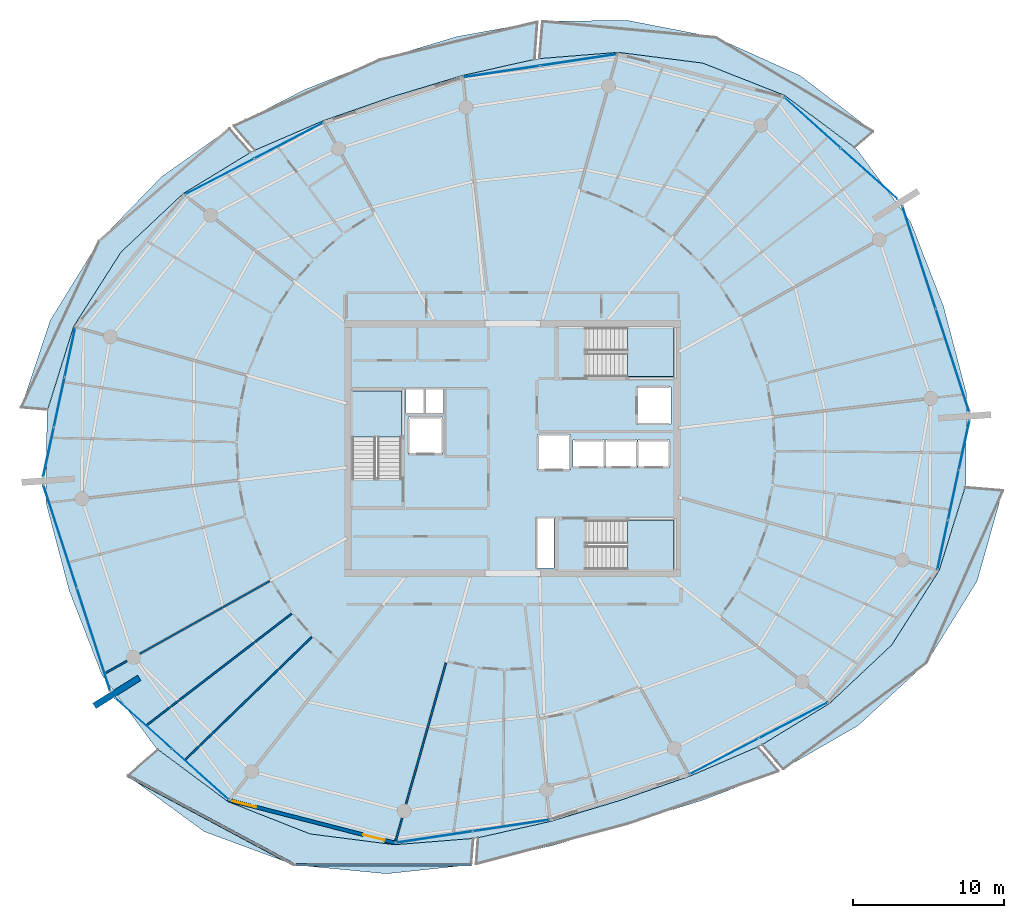
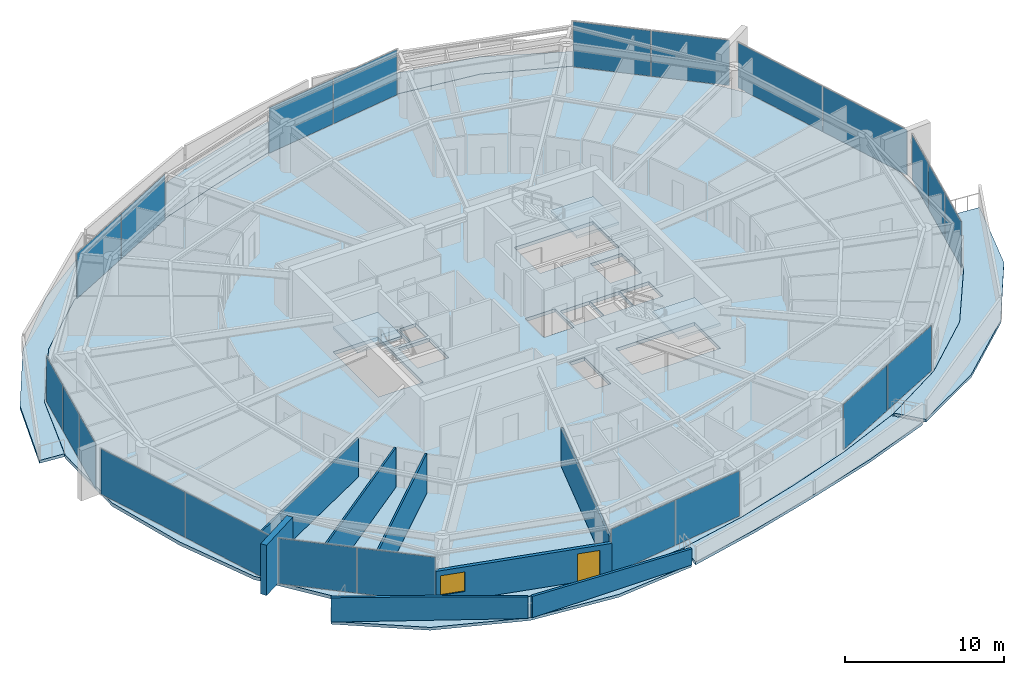
# One storey, part 17 of 30: 22 plates, 10 slabs, 8 walls, 1 door, 1 window, 2 openings, 13 elements without a shape of their own.
"""IFC4 building model written with IfcOpenShell, lengths in metres."""

from ifc_helpers import new_model, si_unit, direction, frame, frame_2d, origin, origin_2d, place, context, subcontext, project, spatial, polyline, rectangle, outline, extrude, material, layer, layer_set, type_object, element, fill, aggregate, save


model = new_model("IFC4")

# Units and contexts
model_context = context("Model", 3, precision=1e-05, world=origin(), true_north=direction((0.0, 1.0)))
body_context = subcontext(model_context, "Body", "Model", "MODEL_VIEW")
ifc_project = project(units=[si_unit("LENGTHUNIT", "METRE"), si_unit("AREAUNIT", "SQUARE_METRE"), si_unit("VOLUMEUNIT", "CUBIC_METRE"), si_unit("PLANEANGLEUNIT", "RADIAN"), si_unit("MASSUNIT", "GRAM", prefix="KILO")], contexts=[model_context])

# Site, building, storey
site_placement = place(None, origin())
site = spatial("IfcSite", under=ifc_project, at=site_placement, CompositionType="ELEMENT")
building_placement = place(site_placement, origin())
building = spatial("IfcBuilding", under=site, at=building_placement, Name="Kazma Halo Residences", CompositionType="ELEMENT")
storey_placement = place(building_placement, frame((0.0, 0.0, 279.050048828125)))
storey = spatial("IfcBuildingStorey", under=building, at=storey_placement, Name="L70", CompositionType="ELEMENT", Elevation=279.050048828125)

# Curtain wall, plates
ifc_material_1 = material(Name="Aluminium AW-6063 T6 and Triple-Silver Low-E Glass", Category="aluminium")
ifc_layer_1 = layer(ifc_material_1, 0.139892578125)
ifc_layer_set_1 = layer_set([ifc_layer_1], Name="Aluminium AW-6063 T6 and Triple-Silver Low-E Glass")
curtain_wall_type = type_object("IfcCurtainWallType", Name="CW-SYS-5", PredefinedType="NOTDEFINED", material=ifc_layer_set_1)
curtain_wall_1_placement = place(storey_placement, origin())
curtain_wall_1 = element("IfcCurtainWall", 1, at=curtain_wall_1_placement, inside=storey, type_object=curtain_wall_type, Name="L70 unitised curtain wall B01", PredefinedType="NOTDEFINED")
ifc_material_2 = material(Name="Clear Triple-Silver Low-E Glass IGU", Category="glass")
ifc_layer_2 = layer(ifc_material_2, 0.02587890625)
ifc_layer_set_2 = layer_set([ifc_layer_2], Name="Clear Triple-Silver Low-E Glass IGU")
plate_type = type_object("IfcPlateType", Name="CW-SYS-5-PNL", PredefinedType="CURTAIN_PANEL", material=ifc_layer_set_2)
plate_1_placement = place(storey_placement, frame((72.002685546875, 60.179443359375, 0.06005859375), z_axis=(0.0, 0.0, 1.0), x_axis=(-0.744336424671, 0.667804826958, 0.0)))
plate_1 = element("IfcPlate", 2, at=plate_1_placement, type_object=plate_type, Name="CWS-5 panel 1.1", PredefinedType="CURTAIN_PANEL", context=body_context, shape_type="SweptSolid", body=[
    extrude(rectangle(XDim=4.993408203125, YDim=0.02587890625, at=origin_2d()), origin(), (0.0, 0.0, 1.0), 3.469970703125),
])
plate_2_placement = place(storey_placement, frame((68.2412109375, 63.55419921875, 0.06005859375), z_axis=(0.0, 0.0, 1.0), x_axis=(-0.744336424671, 0.667804826958, 0.0)))
plate_2 = element("IfcPlate", 3, at=plate_2_placement, type_object=plate_type, Name="CWS-5 panel 2.1", PredefinedType="CURTAIN_PANEL", context=body_context, shape_type="SweptSolid", body=[
    extrude(rectangle(XDim=4.993408203125, YDim=0.02587890625, at=origin_2d()), origin(), (0.0, 0.0, 1.0), 3.469970703125),
])
aggregate(curtain_wall_1, [plate_1, plate_2])

curtain_wall_2_placement = place(storey_placement, origin())
curtain_wall_2 = element("IfcCurtainWall", 4, at=curtain_wall_2_placement, inside=storey, type_object=curtain_wall_type, Name="L70 unitised curtain wall B03", PredefinedType="NOTDEFINED")
plate_3_placement = place(storey_placement, frame((52.77783203125, 67.70361328125, 0.06005859375), z_axis=(0.0, 0.0, 1.0), x_axis=(-0.988882792998, -0.148697080374, 0.0)))
plate_3 = element("IfcPlate", 5, at=plate_3_placement, type_object=plate_type, Name="CWS-5 panel 1.1", PredefinedType="CURTAIN_PANEL", context=body_context, shape_type="SweptSolid", body=[
    extrude(rectangle(XDim=5.099853515625, YDim=0.02587890625, at=origin_2d()), origin(), (0.0, 0.0, 1.0), 3.469970703125),
])
plate_4_placement = place(storey_placement, frame((47.67529296875, 66.936279296875, 0.06005859375), z_axis=(0.0, 0.0, 1.0), x_axis=(-0.988882792998, -0.148697080374, 0.0)))
plate_4 = element("IfcPlate", 6, at=plate_4_placement, type_object=plate_type, Name="CWS-5 panel 2.1", PredefinedType="CURTAIN_PANEL", context=body_context, shape_type="SweptSolid", body=[
    extrude(rectangle(XDim=5.099853515625, YDim=0.02587890625, at=origin_2d()), origin(), (0.0, 0.0, 1.0), 3.469970703125),
])
aggregate(curtain_wall_2, [plate_3, plate_4])

curtain_wall_3_placement = place(storey_placement, origin())
curtain_wall_3 = element("IfcCurtainWall", 7, at=curtain_wall_3_placement, inside=storey, type_object=curtain_wall_type, Name="L70 unitised curtain wall B05", PredefinedType="NOTDEFINED")
plate_5_placement = place(storey_placement, frame((33.60546875, 62.36474609375, 0.06005859375), z_axis=(0.0, 0.0, 1.0), x_axis=(-0.887420518694, -0.460960760804, 0.0)))
plate_5 = element("IfcPlate", 8, at=plate_5_placement, type_object=plate_type, Name="CWS-5 panel 1.1", PredefinedType="CURTAIN_PANEL", context=body_context, shape_type="SweptSolid", body=[
    extrude(rectangle(XDim=5.099609375, YDim=0.02587890625, at=origin_2d()), origin(), (0.0, 0.0, 1.0), 3.469970703125),
])
plate_6_placement = place(storey_placement, frame((29.026611328125, 59.986328125, 0.06005859375), z_axis=(0.0, 0.0, 1.0), x_axis=(-0.887420518694, -0.460960760804, 0.0)))
plate_6 = element("IfcPlate", 9, at=plate_6_placement, type_object=plate_type, Name="CWS-5 panel 2.1", PredefinedType="CURTAIN_PANEL", context=body_context, shape_type="SweptSolid", body=[
    extrude(rectangle(XDim=5.099609375, YDim=0.02587890625, at=origin_2d()), origin(), (0.0, 0.0, 1.0), 3.469970703125),
])
aggregate(curtain_wall_3, [plate_5, plate_6])

curtain_wall_4_placement = place(storey_placement, origin())
curtain_wall_4 = element("IfcCurtainWall", 10, at=curtain_wall_4_placement, inside=storey, type_object=curtain_wall_type, Name="L70 unitised curtain wall B07", PredefinedType="NOTDEFINED")
plate_7_placement = place(storey_placement, frame((19.133056640625, 48.36865234375, 0.06005859375), z_axis=(0.0, 0.0, 1.0), x_axis=(-0.209657382603, -0.97777491373, 0.0)))
plate_7 = element("IfcPlate", 11, at=plate_7_placement, type_object=plate_type, Name="CWS-5 panel 1.1", PredefinedType="CURTAIN_PANEL", context=body_context, shape_type="SweptSolid", body=[
    extrude(rectangle(XDim=3.299072265625, YDim=0.02587890625, at=origin_2d()), origin(), (0.0, 0.0, 1.0), 3.469970703125),
])
plate_8_placement = place(storey_placement, frame((18.42578125, 45.069580078125, 0.06005859375), z_axis=(0.0, 0.0, 1.0), x_axis=(-0.209657382603, -0.97777491373, 0.0)))
plate_8 = element("IfcPlate", 12, at=plate_8_placement, type_object=plate_type, Name="CWS-5 panel 2.1", PredefinedType="CURTAIN_PANEL", context=body_context, shape_type="SweptSolid", body=[
    extrude(rectangle(XDim=3.3291015625, YDim=0.02587890625, at=origin_2d()), origin(), (0.0, 0.0, 1.0), 3.469970703125),
])
plate_9_placement = place(storey_placement, frame((17.71826171875, 41.7705078125, 0.06005859375), z_axis=(0.0, 0.0, 1.0), x_axis=(-0.209657382603, -0.97777491373, 0.0)))
plate_9 = element("IfcPlate", 13, at=plate_9_placement, type_object=plate_type, Name="CWS-5 panel 3.1", PredefinedType="CURTAIN_PANEL", context=body_context, shape_type="SweptSolid", body=[
    extrude(rectangle(XDim=3.299072265625, YDim=0.02587890625, at=origin_2d()), origin(), (0.0, 0.0, 1.0), 3.469970703125),
])
aggregate(curtain_wall_4, [plate_7, plate_8, plate_9])

curtain_wall_5_placement = place(storey_placement, origin())
curtain_wall_5 = element("IfcCurtainWall", 14, at=curtain_wall_5_placement, inside=storey, type_object=curtain_wall_type, Name="L70 unitised curtain wall B08", PredefinedType="NOTDEFINED")
plate_10_placement = place(storey_placement, frame((18.48486328125, 36.1787109375, 0.06005859375), z_axis=(0.0, 0.0, 1.0), x_axis=(0.309010998786, -0.951058464359, 0.0)))
plate_10 = element("IfcPlate", 15, at=plate_10_placement, type_object=plate_type, Name="CWS-5 panel 1.1", PredefinedType="CURTAIN_PANEL", context=body_context, shape_type="SweptSolid", body=[
    extrude(rectangle(XDim=7.108642578125, YDim=0.02587890625, at=origin_2d()), origin(), (0.0, 0.0, 1.0), 3.469970703125),
])
plate_11_placement = place(storey_placement, frame((20.699951171875, 29.36083984375, 0.06005859375), z_axis=(0.0, 0.0, 1.0), x_axis=(0.309010998786, -0.951058464359, 0.0)))
plate_11 = element("IfcPlate", 16, at=plate_11_placement, type_object=plate_type, Name="CWS-5 panel 2.1", PredefinedType="CURTAIN_PANEL", context=body_context, shape_type="SweptSolid", body=[
    extrude(rectangle(XDim=7.108642578125, YDim=0.02587890625, at=origin_2d()), origin(), (0.0, 0.0, 1.0), 3.469970703125),
])
aggregate(curtain_wall_5, [plate_10, plate_11])

curtain_wall_6_placement = place(storey_placement, origin())
curtain_wall_6 = element("IfcCurtainWall", 17, at=curtain_wall_6_placement, inside=storey, type_object=curtain_wall_type, Name="L70 unitised curtain wall B09", PredefinedType="NOTDEFINED")
plate_12_placement = place(storey_placement, frame((23.997314453125, 23.820556640625, 0.06005859375), z_axis=(0.0, 0.0, 1.0), x_axis=(0.744336424671, -0.667804826958, 0.0)))
plate_12 = element("IfcPlate", 18, at=plate_12_placement, type_object=plate_type, Name="CWS-5 panel 1.1", PredefinedType="CURTAIN_PANEL", context=body_context, shape_type="SweptSolid", body=[
    extrude(rectangle(XDim=4.993408203125, YDim=0.02587890625, at=origin_2d()), origin(), (0.0, 0.0, 1.0), 3.469970703125),
])
plate_13_placement = place(storey_placement, frame((27.7587890625, 20.44580078125, 0.06005859375), z_axis=(0.0, 0.0, 1.0), x_axis=(0.744336424671, -0.667804826958, 0.0)))
plate_13 = element("IfcPlate", 19, at=plate_13_placement, type_object=plate_type, Name="CWS-5 panel 2.1", PredefinedType="CURTAIN_PANEL", context=body_context, shape_type="SweptSolid", body=[
    extrude(rectangle(XDim=4.993408203125, YDim=0.02587890625, at=origin_2d()), origin(), (0.0, 0.0, 1.0), 3.469970703125),
])
aggregate(curtain_wall_6, [plate_12, plate_13])

curtain_wall_7_placement = place(storey_placement, origin())
curtain_wall_7 = element("IfcCurtainWall", 20, at=curtain_wall_7_placement, inside=storey, type_object=curtain_wall_type, Name="L70 unitised curtain wall B11", PredefinedType="NOTDEFINED")
plate_14_placement = place(storey_placement, frame((43.22216796875, 16.29638671875, 0.06005859375), z_axis=(0.0, 0.0, 1.0), x_axis=(0.988882792998, 0.148697080374, 0.0)))
plate_14 = element("IfcPlate", 21, at=plate_14_placement, type_object=plate_type, Name="CWS-5 panel 1.1", PredefinedType="CURTAIN_PANEL", context=body_context, shape_type="SweptSolid", body=[
    extrude(rectangle(XDim=5.099853515625, YDim=0.02587890625, at=origin_2d()), origin(), (0.0, 0.0, 1.0), 3.469970703125),
])
plate_15_placement = place(storey_placement, frame((48.32470703125, 17.063720703125, 0.06005859375), z_axis=(0.0, 0.0, 1.0), x_axis=(0.988882792998, 0.148697080374, 0.0)))
plate_15 = element("IfcPlate", 22, at=plate_15_placement, type_object=plate_type, Name="CWS-5 panel 2.1", PredefinedType="CURTAIN_PANEL", context=body_context, shape_type="SweptSolid", body=[
    extrude(rectangle(XDim=5.099853515625, YDim=0.02587890625, at=origin_2d()), origin(), (0.0, 0.0, 1.0), 3.469970703125),
])
aggregate(curtain_wall_7, [plate_14, plate_15])

curtain_wall_8_placement = place(storey_placement, origin())
curtain_wall_8 = element("IfcCurtainWall", 23, at=curtain_wall_8_placement, inside=storey, type_object=curtain_wall_type, Name="L70 unitised curtain wall B13", PredefinedType="NOTDEFINED")
plate_16_placement = place(storey_placement, frame((62.39453125, 21.63525390625, 0.06005859375), z_axis=(0.0, 0.0, 1.0), x_axis=(0.887420518694, 0.460960760804, 0.0)))
plate_16 = element("IfcPlate", 24, at=plate_16_placement, type_object=plate_type, Name="CWS-5 panel 1.1", PredefinedType="CURTAIN_PANEL", context=body_context, shape_type="SweptSolid", body=[
    extrude(rectangle(XDim=5.099609375, YDim=0.02587890625, at=origin_2d()), origin(), (0.0, 0.0, 1.0), 3.469970703125),
])
plate_17_placement = place(storey_placement, frame((66.973388671875, 24.013671875, 0.06005859375), z_axis=(0.0, 0.0, 1.0), x_axis=(0.887420518694, 0.460960760804, 0.0)))
plate_17 = element("IfcPlate", 25, at=plate_17_placement, type_object=plate_type, Name="CWS-5 panel 2.1", PredefinedType="CURTAIN_PANEL", context=body_context, shape_type="SweptSolid", body=[
    extrude(rectangle(XDim=5.099609375, YDim=0.02587890625, at=origin_2d()), origin(), (0.0, 0.0, 1.0), 3.469970703125),
])
aggregate(curtain_wall_8, [plate_16, plate_17])

curtain_wall_9_placement = place(storey_placement, origin())
curtain_wall_9 = element("IfcCurtainWall", 26, at=curtain_wall_9_placement, inside=storey, type_object=curtain_wall_type, Name="L70 unitised curtain wall B15", PredefinedType="NOTDEFINED")
plate_18_placement = place(storey_placement, frame((76.866943359375, 35.63134765625, 0.06005859375), z_axis=(0.0, 0.0, 1.0), x_axis=(0.209657382603, 0.97777491373, 0.0)))
plate_18 = element("IfcPlate", 27, at=plate_18_placement, type_object=plate_type, Name="CWS-5 panel 1.1", PredefinedType="CURTAIN_PANEL", context=body_context, shape_type="SweptSolid", body=[
    extrude(rectangle(XDim=3.299072265625, YDim=0.02587890625, at=origin_2d()), origin(), (0.0, 0.0, 1.0), 3.469970703125),
])
plate_19_placement = place(storey_placement, frame((77.57421875, 38.930419921875, 0.06005859375), z_axis=(0.0, 0.0, 1.0), x_axis=(0.209657382603, 0.97777491373, 0.0)))
plate_19 = element("IfcPlate", 28, at=plate_19_placement, type_object=plate_type, Name="CWS-5 panel 2.1", PredefinedType="CURTAIN_PANEL", context=body_context, shape_type="SweptSolid", body=[
    extrude(rectangle(XDim=3.3291015625, YDim=0.02587890625, at=origin_2d()), origin(), (0.0, 0.0, 1.0), 3.469970703125),
])
plate_20_placement = place(storey_placement, frame((78.28173828125, 42.2294921875, 0.06005859375), z_axis=(0.0, 0.0, 1.0), x_axis=(0.209657382603, 0.97777491373, 0.0)))
plate_20 = element("IfcPlate", 29, at=plate_20_placement, type_object=plate_type, Name="CWS-5 panel 3.1", PredefinedType="CURTAIN_PANEL", context=body_context, shape_type="SweptSolid", body=[
    extrude(rectangle(XDim=3.299072265625, YDim=0.02587890625, at=origin_2d()), origin(), (0.0, 0.0, 1.0), 3.469970703125),
])
aggregate(curtain_wall_9, [plate_18, plate_19, plate_20])

curtain_wall_10_placement = place(storey_placement, origin())
curtain_wall_10 = element("IfcCurtainWall", 30, at=curtain_wall_10_placement, inside=storey, type_object=curtain_wall_type, Name="L70 unitised curtain wall B16", PredefinedType="NOTDEFINED")
plate_21_placement = place(storey_placement, frame((77.51513671875, 47.8212890625, 0.06005859375), z_axis=(0.0, 0.0, 1.0), x_axis=(-0.309010998786, 0.951058464359, 0.0)))
plate_21 = element("IfcPlate", 31, at=plate_21_placement, type_object=plate_type, Name="CWS-5 panel 1.1", PredefinedType="CURTAIN_PANEL", context=body_context, shape_type="SweptSolid", body=[
    extrude(rectangle(XDim=7.108642578125, YDim=0.02587890625, at=origin_2d()), origin(), (0.0, 0.0, 1.0), 3.469970703125),
])
plate_22_placement = place(storey_placement, frame((75.300048828125, 54.63916015625, 0.06005859375), z_axis=(0.0, 0.0, 1.0), x_axis=(-0.309010998786, 0.951058464359, 0.0)))
plate_22 = element("IfcPlate", 32, at=plate_22_placement, type_object=plate_type, Name="CWS-5 panel 2.1", PredefinedType="CURTAIN_PANEL", context=body_context, shape_type="SweptSolid", body=[
    extrude(rectangle(XDim=7.108642578125, YDim=0.02587890625, at=origin_2d()), origin(), (0.0, 0.0, 1.0), 3.469970703125),
])
aggregate(curtain_wall_10, [plate_21, plate_22])

# Slabs
ifc_material_3 = material(Name="White Concrete C50/60", Category="concrete")
ifc_layer_3 = layer(ifc_material_3, 0.219970703125)
ifc_layer_set_3 = layer_set([ifc_layer_3], Name="White Concrete C50/60")
slab_type_1 = type_object("IfcSlabType", Name="SLB-BAL-WAVE-210", PredefinedType="FLOOR", material=ifc_layer_set_3)
slab_1_placement = place(storey_placement, frame((0.0, 0.0, -0.219970703125)))
element("IfcSlab", 33, at=slab_1_placement, inside=storey, type_object=slab_type_1, Name="L70 NE cantilevered wave balcony slab", PredefinedType="FLOOR", context=body_context, shape_type="SweptSolid", body=[
    extrude(outline(polyline([(71.0400390625, 61.9228515625), (66.41357421875, 65.357421875), (60.990478515625, 67.49560546875), (55.3916015625, 68.208984375), (50.188720703125, 67.794189453125), (50.397705078125, 70.256591796875), (55.98876953125, 70.325927734375), (61.852783203125, 69.1875), (67.444580078125, 66.66552734375), (72.251220703125, 62.969970703125), (71.0400390625, 61.9228515625)])), origin(), (0.0, 0.0, 1.0), 0.219970703125),
])
slab_2_placement = place(storey_placement, frame((0.0, 0.0, -0.219970703125)))
element("IfcSlab", 34, at=slab_2_placement, inside=storey, type_object=slab_type_1, Name="L70 NNW cantilevered wave balcony slab", PredefinedType="FLOOR", context=body_context, shape_type="SweptSolid", body=[
    extrude(outline(polyline([(49.8681640625, 67.74609375), (45.080078125, 66.66943359375), (40.43994140625, 65.267333984375), (35.86181640625, 63.67431640625), (31.35546875, 61.731201171875), (29.99169921875, 63.34765625), (34.695556640625, 65.7568359375), (39.643310546875, 67.719482421875), (44.773681640625, 69.259521484375), (50.047607421875, 70.219482421875), (49.8681640625, 67.74609375)])), origin(), (0.0, 0.0, 1.0), 0.219970703125),
])
slab_3_placement = place(storey_placement, frame((0.0, 0.0, -0.219970703125)))
element("IfcSlab", 35, at=slab_3_placement, inside=storey, type_object=slab_type_1, Name="L70 NW cantilevered wave balcony slab", PredefinedType="FLOOR", context=body_context, shape_type="SweptSolid", body=[
    extrude(outline(polyline([(31.06787109375, 61.58154296875), (26.614501953125, 58.85888671875), (22.50439453125, 54.990478515625), (19.3740234375, 50.0732421875), (17.64990234375, 44.5751953125), (15.90966796875, 44.722900390625), (17.845703125, 50.50439453125), (21.063232421875, 55.72509765625), (25.19384765625, 59.978759765625), (29.69384765625, 63.17041015625), (31.06787109375, 61.58154296875)])), origin(), (0.0, 0.0, 1.0), 0.219970703125),
])
slab_4_placement = place(storey_placement, frame((0.0, 0.0, -0.219970703125)))
element("IfcSlab", 36, at=slab_4_placement, inside=storey, type_object=slab_type_1, Name="L70 SW cantilevered wave balcony slab", PredefinedType="FLOOR", context=body_context, shape_type="SweptSolid", body=[
    extrude(outline(polyline([(24.9599609375, 22.0771484375), (29.58642578125, 18.642578125), (35.009521484375, 16.50439453125), (40.6083984375, 15.791015625), (45.811279296875, 16.205810546875), (45.663330078125, 14.462646484375), (40.06640625, 13.869384765625), (33.966552734375, 14.4580078125), (28.02001953125, 16.655517578125), (22.96240234375, 20.349853515625), (24.9599609375, 22.0771484375)])), origin(), (0.0, 0.0, 1.0), 0.219970703125),
])
slab_5_placement = place(storey_placement, frame((0.0, 0.0, -0.219970703125)))
element("IfcSlab", 37, at=slab_5_placement, inside=storey, type_object=slab_type_1, Name="L70 SSE cantilevered wave balcony slab", PredefinedType="FLOOR", context=body_context, shape_type="SweptSolid", body=[
    extrude(outline(polyline([(46.1318359375, 16.25390625), (50.919921875, 17.33056640625), (55.56005859375, 18.732666015625), (60.13818359375, 20.32568359375), (64.64453125, 22.268798828125), (65.995849609375, 20.6669921875), (61.022216796875, 18.747314453125), (56.059814453125, 17.194091796875), (51.1064453125, 15.75341796875), (46.006591796875, 14.52734375), (46.1318359375, 16.25390625)])), origin(), (0.0, 0.0, 1.0), 0.219970703125),
])
slab_6_placement = place(storey_placement, frame((0.0, 0.0, -0.219970703125)))
element("IfcSlab", 38, at=slab_6_placement, inside=storey, type_object=slab_type_1, Name="L70 SE cantilevered wave balcony slab", PredefinedType="FLOOR", context=body_context, shape_type="SweptSolid", body=[
    extrude(outline(polyline([(64.93212890625, 22.41845703125), (69.385498046875, 25.14111328125), (73.49560546875, 29.009521484375), (76.6259765625, 33.9267578125), (78.35009765625, 39.4248046875), (80.83642578125, 39.2138671875), (79.135986328125, 33.21875), (75.79296875, 27.8388671875), (71.259765625, 23.663330078125), (66.318603515625, 20.815185546875), (64.93212890625, 22.41845703125)])), origin(), (0.0, 0.0, 1.0), 0.219970703125),
])
ifc_material_4 = material(Name="Concrete C50/60", Category="concrete")
ifc_layer_4 = layer(ifc_material_4, 0.260009765625)
ifc_layer_set_4 = layer_set([ifc_layer_4], Name="Concrete C50/60")
slab_type_2 = type_object("IfcSlabType", Name="SLB-RES-260", PredefinedType="FLOOR", material=ifc_layer_set_4)
slab_7_placement = place(storey_placement, frame((0.0, 0.0, -0.260009765625)))
element("IfcSlab", 39, at=slab_7_placement, inside=storey, type_object=slab_type_2, Name="L70 structural floor slab", PredefinedType="FLOOR", context=body_context, shape_type="SweptSolid", body=[
    extrude(outline(polyline([(76.9189453125, 51.396240234375), (74.749755859375, 56.980712890625), (71.180419921875, 61.7978515625), (66.412109375, 65.355712890625), (60.98974609375, 67.49365234375), (55.39111328125, 68.207275390625), (50.02880859375, 67.7783203125), (45.080322265625, 66.66748046875), (40.440673828125, 65.265380859375), (35.86279296875, 63.672607421875), (31.20654296875, 61.66259765625), (26.6162109375, 58.857666015625), (22.50634765625, 54.98974609375), (19.3759765625, 50.07275390625), (17.60986328125, 44.391845703125), (17.5537109375, 38.396484375), (19.0810546875, 32.603759765625), (21.250244140625, 27.019287109375), (24.819580078125, 22.2021484375), (29.587890625, 18.644287109375), (35.01025390625, 16.50634765625), (40.60888671875, 15.792724609375), (45.97119140625, 16.2216796875), (50.919677734375, 17.33251953125), (55.559326171875, 18.734619140625), (60.13720703125, 20.327392578125), (64.79345703125, 22.33740234375), (69.3837890625, 25.142333984375), (73.49365234375, 29.01025390625), (76.6240234375, 33.92724609375), (78.39013671875, 39.608154296875), (78.4462890625, 45.603515625), (76.9189453125, 51.396240234375)]), holes=[polyline([(37.800048828125, 40.110107421875), (41.050048828125, 40.110107421875), (41.050048828125, 45.800048828125), (37.800048828125, 45.800048828125), (37.800048828125, 40.110107421875)]), polyline([(53.360107421875, 46.75), (59.050048828125, 46.75), (59.050048828125, 50.0), (53.360107421875, 50.0), (53.360107421875, 46.75)]), polyline([(53.360107421875, 34.0), (59.050048828125, 34.0), (59.050048828125, 37.25), (53.360107421875, 37.25), (53.360107421875, 34.0)]), polyline([(41.52001953125, 41.6201171875), (43.780029296875, 41.6201171875), (43.780029296875, 44.080078125), (41.52001953125, 44.080078125), (41.52001953125, 41.6201171875)]), polyline([(56.6201171875, 43.6201171875), (58.8798828125, 43.6201171875), (58.8798828125, 46.080078125), (56.6201171875, 46.080078125), (56.6201171875, 43.6201171875)]), polyline([(52.39501953125, 40.7451171875), (54.5048828125, 40.7451171875), (54.5048828125, 42.554931640625), (52.39501953125, 42.554931640625), (52.39501953125, 40.7451171875)]), polyline([(54.544921875, 40.7451171875), (56.655029296875, 40.7451171875), (56.655029296875, 42.554931640625), (54.544921875, 42.554931640625), (54.544921875, 40.7451171875)]), polyline([(56.695068359375, 40.7451171875), (58.804931640625, 40.7451171875), (58.804931640625, 42.554931640625), (56.695068359375, 42.554931640625), (56.695068359375, 40.7451171875)]), polyline([(50.070068359375, 40.570068359375), (52.22998046875, 40.570068359375), (52.22998046875, 42.929931640625), (50.070068359375, 42.929931640625), (50.070068359375, 40.570068359375)]), polyline([(41.360107421875, 44.340087890625), (42.5400390625, 44.340087890625), (42.5400390625, 45.89990234375), (41.360107421875, 45.89990234375), (41.360107421875, 44.340087890625)]), polyline([(42.659912109375, 44.340087890625), (43.840087890625, 44.340087890625), (43.840087890625, 45.89990234375), (42.659912109375, 45.89990234375), (42.659912109375, 44.340087890625)]), polyline([(50.06005859375, 34.080078125), (51.159912109375, 34.080078125), (51.159912109375, 37.3798828125), (50.06005859375, 37.3798828125), (50.06005859375, 34.080078125)])]), origin(), (0.0, 0.0, 1.0), 0.260009765625),
])

# Stair, slab
stair_type = type_object("IfcStairType", Name="STR-RES2", PredefinedType="HALF_TURN_STAIR", material=ifc_material_4)
stair_1_placement = place(storey_placement, origin())
stair_1 = element("IfcStair", 40, at=stair_1_placement, inside=storey, type_object=stair_type, Name="L70 Core exit stair ST-01", PredefinedType="HALF_TURN_STAIR")
ifc_layer_5 = layer(ifc_material_4, 0.199951171875)
ifc_layer_set_5 = layer_set([ifc_layer_5], Name="Concrete C50/60")
slab_type_3 = type_object("IfcSlabType", Name="SLB-STAIR-LND-200", PredefinedType="LANDING", material=ifc_layer_set_5)
slab_8_placement = place(storey_placement, frame((0.0, 0.0, 1.724853515625)))
slab_8 = element("IfcSlab", 41, at=slab_8_placement, type_object=slab_type_3, Name="ST-01 landing 1", PredefinedType="LANDING", context=body_context, shape_type="SweptSolid", body=[
    extrude(outline(polyline([(41.050048828125, 42.75), (41.050048828125, 45.800048828125), (37.800048828125, 45.800048828125), (37.800048828125, 42.75), (41.050048828125, 42.75)])), origin(), (0.0, 0.0, 1.0), 0.2001953125),
])
aggregate(stair_1, [slab_8])

stair_2_placement = place(storey_placement, origin())
stair_2 = element("IfcStair", 42, at=stair_2_placement, inside=storey, type_object=stair_type, Name="L70 Core exit stair ST-02", PredefinedType="HALF_TURN_STAIR")
slab_9_placement = place(storey_placement, frame((0.0, 0.0, 1.724853515625)))
slab_9 = element("IfcSlab", 43, at=slab_9_placement, type_object=slab_type_3, Name="ST-02 landing 1", PredefinedType="LANDING", context=body_context, shape_type="SweptSolid", body=[
    extrude(outline(polyline([(56.0, 46.75), (59.050048828125, 46.75), (59.050048828125, 50.0), (56.0, 50.0), (56.0, 46.75)])), origin(), (0.0, 0.0, 1.0), 0.2001953125),
])
aggregate(stair_2, [slab_9])

stair_3_placement = place(storey_placement, origin())
stair_3 = element("IfcStair", 44, at=stair_3_placement, inside=storey, type_object=stair_type, Name="L70 Core exit stair ST-03", PredefinedType="HALF_TURN_STAIR")
slab_10_placement = place(storey_placement, frame((0.0, 0.0, 1.724853515625)))
slab_10 = element("IfcSlab", 45, at=slab_10_placement, type_object=slab_type_3, Name="ST-03 landing 1", PredefinedType="LANDING", context=body_context, shape_type="SweptSolid", body=[
    extrude(outline(polyline([(56.0, 34.0), (59.050048828125, 34.0), (59.050048828125, 37.25), (56.0, 37.25), (56.0, 34.0)])), origin(), (0.0, 0.0, 1.0), 0.2001953125),
])
aggregate(stair_3, [slab_10])

# Walls
ifc_material_5 = material(Name="White Concrete C50/60 Balustrade", Category="concrete")
ifc_layer_6 = layer(ifc_material_5, 0.179931640625)
ifc_layer_set_6 = layer_set([ifc_layer_6], Name="White Concrete C50/60 Balustrade")
wall_type_1 = type_object("IfcWallType", Name="WL-BAL-WAVE-180", PredefinedType="PARAPET", material=ifc_layer_set_6)
wall_1_placement = place(storey_placement, frame((22.96240234375, 20.349853515625, 0.0), z_axis=(0.0, 0.0, 1.0), x_axis=(0.881580944095, -0.472032879161, 0.0)))
element("IfcWall", 46, at=wall_1_placement, inside=storey, type_object=wall_type_1, Name="L70 white wave balustrade wall SW.1", PredefinedType="PARAPET", context=body_context, shape_type="SweptSolid", body=[
    extrude(outline(polyline([(0.0, 0.0), (12.3623046875, 0.0), (12.3623046875, 1.6318359375), (6.18115234375, 1.7978515625), (0.0, 1.85986328125), (0.0, 0.0)])), frame((0.0, 0.08984375, 0.0), z_axis=(0.0, -1.0, 0.0), x_axis=(1.0, 0.0, 0.0)), (0.0, 0.0, 1.0), 0.179931640625),
])
wall_2_placement = place(storey_placement, frame((34.086669921875, 14.4580078125, 0.0), z_axis=(0.0, 0.0, 1.0), x_axis=(0.999999919723, 0.000400691688, 0.0)))
element("IfcWall", 47, at=wall_2_placement, inside=storey, type_object=wall_type_1, Name="L70 white wave balustrade wall SW.2", PredefinedType="PARAPET", context=body_context, shape_type="SweptSolid", body=[
    extrude(outline(polyline([(0.0, 0.0), (11.57666015625, 0.0), (11.576904296875, 1.23291015625), (5.788330078125, 1.41796875), (0.0, 1.6318359375), (0.0, 0.0)])), frame((0.0, 0.08984375, 0.0), z_axis=(0.0, -1.0, 0.0), x_axis=(1.0, 0.0, 0.0)), (0.0, 0.0, 1.0), 0.179931640625),
])
ifc_material_6 = material(Name="Pale Concrete C60/75", Category="concrete")
ifc_layer_7 = layer(ifc_material_6, 0.419921875)
ifc_layer_set_7 = layer_set([ifc_layer_7], Name="Pale Concrete C60/75")
wall_type_2 = type_object("IfcWallType", Name="WL-BLADE-420", PredefinedType="SOLIDWALL", material=ifc_layer_set_7)
wall_3_placement = place(storey_placement, frame((23.718505859375, 26.827392578125, 0.0), z_axis=(0.0, 0.0, 1.0), x_axis=(-0.848033572426, -0.529942506352, 0.0)))
element("IfcWall", 48, at=wall_3_placement, inside=storey, type_object=wall_type_2, Name="L70 pale concrete structural blade fin wall BW-03", PredefinedType="SOLIDWALL", context=body_context, shape_type="SweptSolid", body=[
    extrude(rectangle(XDim=3.5, YDim=0.419921875, at=frame_2d((1.75, 0.0))), origin(), (0.0, 0.0, 1.0), 3.849853515625),
])

# Wall, openings, door, window
ifc_material_7 = material(Name="Insulated Pale-Metal Composite Wall")
ifc_layer_8 = layer(ifc_material_7, 0.239990234375)
ifc_layer_set_8 = layer_set([ifc_layer_8], Name="Insulated Pale-Metal Composite Wall")
wall_type_3 = type_object("IfcWallType", Name="WL-EXT-HOST-240", PredefinedType="SOLIDWALL", material=ifc_layer_set_8)
wall_4_placement = place(storey_placement, frame((29.613525390625, 18.7509765625, 0.0), z_axis=(0.0, 0.0, 1.0), x_axis=(0.968343758421, -0.249620442927, 0.0)))
wall_4 = element("IfcWall", 49, at=wall_4_placement, inside=storey, type_object=wall_type_3, Name="L70 exterior terrace-access wall B10", PredefinedType="SOLIDWALL", context=body_context, shape_type="SweptSolid", body=[
    extrude(rectangle(XDim=11.438232421875, YDim=0.239990234375, at=frame_2d((5.71923828125, 0.0))), origin(), (0.0, 0.0, 1.0), 2.5400390625),
])
opening_1_placement = place(wall_4_placement, frame((9.21826171875, 0.0, 0.0)))
opening_1 = element("IfcOpeningElement", 50, at=opening_1_placement, cuts=wall_4, Name="Opening DTR-1600", PredefinedType="OPENING", context=body_context, shape_type="SweptSolid", body=[
    extrude(rectangle(XDim=1.449951171875, YDim=2.14990234375, at=frame_2d((0.72509765625, 1.074951171875))), frame((0.0, 0.1298828125, 0.0), z_axis=(0.0, -1.0, 0.0), x_axis=(1.0, 0.0, 0.0)), (0.0, 0.0, 1.0), 0.260009765625),
])
opening_2_placement = place(wall_4_placement, frame((0.280029296875, 0.0, 0.64990234375)))
opening_2 = element("IfcOpeningElement", 51, at=opening_2_placement, cuts=wall_4, Name="Opening W-1800", PredefinedType="OPENING", context=body_context, shape_type="SweptSolid", body=[
    extrude(rectangle(XDim=1.60009765625, YDim=1.5, at=frame_2d((0.800048828125, 0.75))), frame((0.0, 0.1298828125, 0.0), z_axis=(0.0, -1.0, 0.0), x_axis=(1.0, 0.0, 0.0)), (0.0, 0.0, 1.0), 0.260009765625),
])
ifc_material_8 = material(Name="Aluminium AW-6063 T6 Double-Glazed Terrace Door", Category="aluminium")
door_type = type_object("IfcDoorType", Name="DR-EXT-TERR-1600", OperationType="NOTDEFINED", PredefinedType="DOOR", material=ifc_material_8)
door_placement = place(opening_1_placement, origin())
door = element("IfcDoor", 52, at=door_placement, inside=storey, type_object=door_type, Name="L70 B10 balcony terrace door", OperationType="DOUBLE_DOOR_SLIDING", OverallHeight=2.14990234375, OverallWidth=1.449951171875, PredefinedType="DOOR", context=body_context, shape_type="SweptSolid", body=[
    extrude(rectangle(XDim=1.449951171875, YDim=2.14990234375, at=frame_2d((0.72509765625, 1.074951171875))), frame((0.0, 0.02490234375, 0.0), z_axis=(0.0, -1.0, 0.0), x_axis=(1.0, 0.0, 0.0)), (0.0, 0.0, 1.0), 0.050048828125),
])
fill(opening_1, door)
ifc_material_9 = material(Name="Clear Triple-Silver Low-E Glass in Aluminium AW-6063 T6 Frame", Category="aluminium")
window_type = type_object("IfcWindowType", Name="WIN-RES-1800", PartitioningType="DOUBLE_PANEL_VERTICAL", PredefinedType="WINDOW", material=ifc_material_9)
window_placement = place(opening_2_placement, origin())
window = element("IfcWindow", 53, at=window_placement, inside=storey, type_object=window_type, Name="L70 B10 apartment window", OverallHeight=1.5, OverallWidth=1.60009765625, PartitioningType="SINGLE_PANEL", PredefinedType="WINDOW", context=body_context, shape_type="SweptSolid", body=[
    extrude(rectangle(XDim=1.60009765625, YDim=1.5, at=frame_2d((0.800048828125, 0.75))), frame((0.0, 0.030029296875, 0.0), z_axis=(0.0, -1.0, 0.0), x_axis=(1.0, 0.0, 0.0)), (0.0, 0.0, 1.0), 0.06005859375),
])
fill(opening_2, window)

# Walls
ifc_material_10 = material(Name="Gypsum Plasterboard Partition")
ifc_layer_9 = layer(ifc_material_10, 0.125)
ifc_layer_set_9 = layer_set([ifc_layer_9], Name="Gypsum Plasterboard Partition")
wall_type_4 = type_object("IfcWallType", Name="WL-PART-125", PredefinedType="PARTITIONING", material=ifc_layer_set_9)
wall_5_placement = place(storey_placement, frame((32.345703125, 33.233154296875, 0.0), z_axis=(0.0, 0.0, 1.0), x_axis=(-0.872495014167, -0.488623014454, 0.0)))
element("IfcWall", 54, at=wall_5_placement, inside=storey, type_object=wall_type_4, Name="L70 Apartment 1 radial partition 8", PredefinedType="PARTITIONING", context=body_context, shape_type="SweptSolid", body=[
    extrude(rectangle(XDim=12.48779296875, YDim=0.125, at=frame_2d((6.243896484375, 0.0))), origin(), (0.0, 0.0, 1.0), 2.95703125),
])
wall_6_placement = place(storey_placement, frame((33.787841796875, 31.065185546875, 0.0), z_axis=(0.0, 0.0, 1.0), x_axis=(-0.792555782664, -0.609799418962, 0.0)))
element("IfcWall", 55, at=wall_6_placement, inside=storey, type_object=wall_type_4, Name="L70 Apartment 1 bay wall 1 8", PredefinedType="PARTITIONING", context=body_context, shape_type="SweptSolid", body=[
    extrude(rectangle(XDim=12.10986328125, YDim=0.125, at=frame_2d((6.054931640625, 0.0))), origin(), (0.0, 0.0, 1.0), 3.030029296875),
])
wall_7_placement = place(storey_placement, frame((35.12255859375, 29.52099609375, 0.0), z_axis=(0.0, 0.0, 1.0), x_axis=(-0.718122654742, -0.695916555879, 0.0)))
element("IfcWall", 56, at=wall_7_placement, inside=storey, type_object=wall_type_4, Name="L70 Apartment 1 bay wall 2 8", PredefinedType="PARTITIONING", context=body_context, shape_type="SweptSolid", body=[
    extrude(rectangle(XDim=11.676025390625, YDim=0.125, at=frame_2d((5.837890625, 0.0))), origin(), (0.0, 0.0, 1.0), 3.030029296875),
])
wall_8_placement = place(storey_placement, frame((44.0, 27.8173828125, 0.0), z_axis=(0.0, 0.0, 1.0), x_axis=(-0.271434127064, -0.962457019646, 0.0)))
element("IfcWall", 57, at=wall_8_placement, inside=storey, type_object=wall_type_4, Name="L70 Apartment 2 radial partition 10", PredefinedType="PARTITIONING", context=body_context, shape_type="SweptSolid", body=[
    extrude(rectangle(XDim=12.248779296875, YDim=0.125, at=frame_2d((6.12451171875, 0.0))), origin(), (0.0, 0.0, 1.0), 2.95703125),
])

save(model, "model.ifc")
